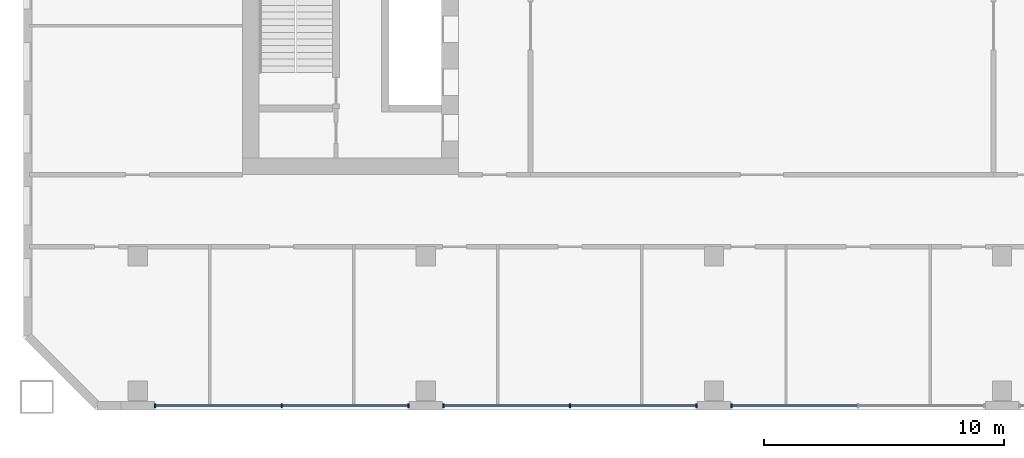
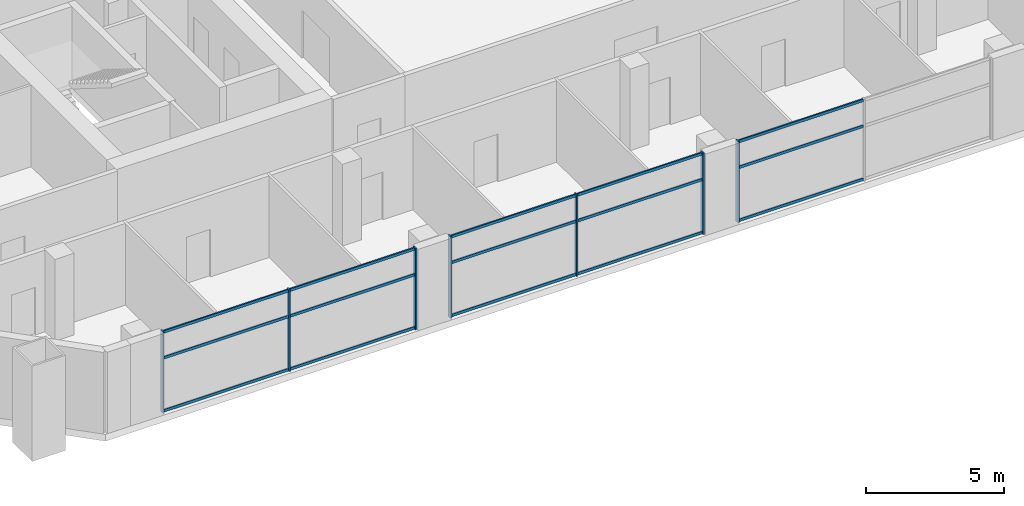
# One storey, part 2 of 19: 22 members, 3 elements without a shape of their own.
"""IFC4 building model written with IfcOpenShell, lengths in metres."""

from ifc_helpers import new_model, si_unit, direction, frame, origin, origin_2d, place, context, subcontext, project, spatial, rectangle, extrude, material, material_profile, profile_set, type_object, element, aggregate, save


model = new_model("IFC4")

# Units and contexts
model_context = context("Model", 3, precision=1e-05, world=origin(), true_north=direction((0.0, 1.0)))
body_context = subcontext(model_context, "Body", "Model", "MODEL_VIEW")
ifc_project = project(units=[si_unit("LENGTHUNIT", "METRE"), si_unit("AREAUNIT", "SQUARE_METRE"), si_unit("VOLUMEUNIT", "CUBIC_METRE"), si_unit("PLANEANGLEUNIT", "RADIAN"), si_unit("MASSUNIT", "GRAM", prefix="KILO")], contexts=[model_context])

# Site, building, storey
site_placement = place(None, origin())
site = spatial("IfcSite", under=ifc_project, at=site_placement, CompositionType="ELEMENT")
building_placement = place(site_placement, origin())
building = spatial("IfcBuilding", under=site, at=building_placement, Name="Tuart Gate Housing", CompositionType="ELEMENT")
storey_placement = place(building_placement, frame((0.0, 0.0, 67.39990234375)))
storey = spatial("IfcBuildingStorey", under=building, at=storey_placement, Name="L18", CompositionType="ELEMENT", Elevation=67.39990234375)

# Curtain wall, members
ifc_material_1 = material(Name="Aluminium and clear glass", Category="aluminium")
curtain_wall_type = type_object("IfcCurtainWallType", Name="Community floor glazing", PredefinedType="USERDEFINED", material=ifc_material_1)
curtain_wall_1_placement = place(storey_placement, origin())
curtain_wall_1 = element("IfcCurtainWall", 1, at=curtain_wall_1_placement, inside=storey, type_object=curtain_wall_type, Name="Community floor glazing A-S L18", ObjectType="COMMUNITY FLOOR GLAZING", PredefinedType="USERDEFINED")
ifc_material_2 = material(Name="Anodised aluminium", Category="aluminium")
ifc_material_profile_1 = material_profile(ifc_material_2, rectangle(XDim=0.06005859375, YDim=0.159912109375, at=origin_2d()), Name="60x160")
ifc_profile_set_1 = profile_set([ifc_material_profile_1], Name="Anodised aluminium")
member_type_1 = type_object("IfcMemberType", Name="Mullion 60 x 160", PredefinedType="MULLION", material=ifc_profile_set_1)
member_1_placement = place(storey_placement, frame((28.72998046875, 54.179931640625, 0.0), z_axis=(0.0, 0.0, 1.0), x_axis=(1.0, 0.0, 0.0)))
member_1 = element("IfcMember", 2, at=member_1_placement, type_object=member_type_1, Name="CW3 mullion 1", PredefinedType="MULLION", context=body_context, shape_type="SweptSolid", body=[
    extrude(rectangle(XDim=0.06005859375, YDim=0.159912109375, at=origin_2d()), origin(), (0.0, 0.0, 1.0), 3.60009765625),
])
member_2_placement = place(storey_placement, frame((34.0, 54.179931640625, 0.0), z_axis=(0.0, 0.0, 1.0), x_axis=(1.0, 0.0, 0.0)))
member_2 = element("IfcMember", 3, at=member_2_placement, type_object=member_type_1, Name="CW3 mullion 2", PredefinedType="MULLION", context=body_context, shape_type="SweptSolid", body=[
    extrude(rectangle(XDim=0.06005859375, YDim=0.159912109375, at=origin_2d()), origin(), (0.0, 0.0, 1.0), 3.60009765625),
])
member_3_placement = place(storey_placement, frame((39.27001953125, 54.179931640625, 0.0), z_axis=(0.0, 0.0, 1.0), x_axis=(1.0, 0.0, 0.0)))
member_3 = element("IfcMember", 4, at=member_3_placement, type_object=member_type_1, Name="CW3 mullion 3", PredefinedType="MULLION", context=body_context, shape_type="SweptSolid", body=[
    extrude(rectangle(XDim=0.06005859375, YDim=0.159912109375, at=origin_2d()), origin(), (0.0, 0.0, 1.0), 3.60009765625),
])

curtain_wall_2_placement = place(storey_placement, origin())
curtain_wall_2 = element("IfcCurtainWall", 5, at=curtain_wall_2_placement, inside=storey, type_object=curtain_wall_type, Name="Community floor glazing A-S L18", ObjectType="COMMUNITY FLOOR GLAZING", PredefinedType="USERDEFINED")
member_4_placement = place(storey_placement, frame((40.72998046875, 54.179931640625, 0.0), z_axis=(0.0, 0.0, 1.0), x_axis=(1.0, 0.0, 0.0)))
member_4 = element("IfcMember", 6, at=member_4_placement, type_object=member_type_1, Name="CW3 mullion 1", PredefinedType="MULLION", context=body_context, shape_type="SweptSolid", body=[
    extrude(rectangle(XDim=0.06005859375, YDim=0.159912109375, at=origin_2d()), origin(), (0.0, 0.0, 1.0), 3.60009765625),
])
member_5_placement = place(storey_placement, frame((46.0, 54.179931640625, 0.0), z_axis=(0.0, 0.0, 1.0), x_axis=(1.0, 0.0, 0.0)))
member_5 = element("IfcMember", 7, at=member_5_placement, type_object=member_type_1, Name="CW3 mullion 2", PredefinedType="MULLION", context=body_context, shape_type="SweptSolid", body=[
    extrude(rectangle(XDim=0.06005859375, YDim=0.159912109375, at=origin_2d()), origin(), (0.0, 0.0, 1.0), 3.60009765625),
])
member_6_placement = place(storey_placement, frame((51.27001953125, 54.179931640625, 0.0), z_axis=(0.0, 0.0, 1.0), x_axis=(1.0, 0.0, 0.0)))
member_6 = element("IfcMember", 8, at=member_6_placement, type_object=member_type_1, Name="CW3 mullion 3", PredefinedType="MULLION", context=body_context, shape_type="SweptSolid", body=[
    extrude(rectangle(XDim=0.06005859375, YDim=0.159912109375, at=origin_2d()), origin(), (0.0, 0.0, 1.0), 3.60009765625),
])

# Curtain wall, member
curtain_wall_3_placement = place(storey_placement, origin())
curtain_wall_3 = element("IfcCurtainWall", 9, at=curtain_wall_3_placement, inside=storey, type_object=curtain_wall_type, Name="Community floor glazing A-S L18", ObjectType="COMMUNITY FLOOR GLAZING", PredefinedType="USERDEFINED")
member_7_placement = place(storey_placement, frame((52.72998046875, 54.179931640625, 0.0), z_axis=(0.0, 0.0, 1.0), x_axis=(1.0, 0.0, 0.0)))
member_7 = element("IfcMember", 10, at=member_7_placement, type_object=member_type_1, Name="CW3 mullion 1", PredefinedType="MULLION", context=body_context, shape_type="SweptSolid", body=[
    extrude(rectangle(XDim=0.06005859375, YDim=0.159912109375, at=origin_2d()), origin(), (0.0, 0.0, 1.0), 3.60009765625),
])

# Member
ifc_material_3 = material(Name="Anodised aluminium", Category="aluminium")
ifc_material_profile_2 = material_profile(ifc_material_3, rectangle(XDim=0.06005859375, YDim=0.1201171875, at=origin_2d()), Name="60x120")
ifc_profile_set_2 = profile_set([ifc_material_profile_2], Name="Anodised aluminium")
member_type_2 = type_object("IfcMemberType", Name="Transom 60 x 120", PredefinedType="USERDEFINED", material=ifc_profile_set_2)
member_8_placement = place(storey_placement, frame((28.760009765625, 54.179931640625, 0.06005859375), z_axis=(1.0, 0.0, 0.0), x_axis=(0.0, 1.0, 0.0)))
member_8 = element("IfcMember", 11, at=member_8_placement, type_object=member_type_2, Name="CW3 transom 1.1", ObjectType="TRANSOM", PredefinedType="USERDEFINED", context=body_context, shape_type="SweptSolid", body=[
    extrude(rectangle(XDim=0.06005859375, YDim=0.1201171875, at=origin_2d()), origin(), (0.0, 0.0, 1.0), 5.2099609375),
])

member_9_placement = place(storey_placement, frame((28.760009765625, 54.179931640625, 2.400146484375), z_axis=(1.0, 0.0, 0.0), x_axis=(0.0, 1.0, 0.0)))
member_9 = element("IfcMember", 12, at=member_9_placement, type_object=member_type_2, Name="CW3 transom 1.2", ObjectType="TRANSOM", PredefinedType="USERDEFINED", context=body_context, shape_type="SweptSolid", body=[
    extrude(rectangle(XDim=0.06005859375, YDim=0.1201171875, at=origin_2d()), origin(), (0.0, 0.0, 1.0), 5.2099609375),
])

member_10_placement = place(storey_placement, frame((28.760009765625, 54.179931640625, 3.5400390625), z_axis=(1.0, 0.0, 0.0), x_axis=(0.0, 1.0, 0.0)))
member_10 = element("IfcMember", 13, at=member_10_placement, type_object=member_type_2, Name="CW3 transom 1.3", ObjectType="TRANSOM", PredefinedType="USERDEFINED", context=body_context, shape_type="SweptSolid", body=[
    extrude(rectangle(XDim=0.06005859375, YDim=0.1201171875, at=origin_2d()), origin(), (0.0, 0.0, 1.0), 5.2099609375),
])

member_11_placement = place(storey_placement, frame((34.030029296875, 54.179931640625, 0.06005859375), z_axis=(1.0, 0.0, 0.0), x_axis=(0.0, 1.0, 0.0)))
member_11 = element("IfcMember", 14, at=member_11_placement, type_object=member_type_2, Name="CW3 transom 2.1", ObjectType="TRANSOM", PredefinedType="USERDEFINED", context=body_context, shape_type="SweptSolid", body=[
    extrude(rectangle(XDim=0.06005859375, YDim=0.1201171875, at=origin_2d()), origin(), (0.0, 0.0, 1.0), 5.2099609375),
])

member_12_placement = place(storey_placement, frame((34.030029296875, 54.179931640625, 2.400146484375), z_axis=(1.0, 0.0, 0.0), x_axis=(0.0, 1.0, 0.0)))
member_12 = element("IfcMember", 15, at=member_12_placement, type_object=member_type_2, Name="CW3 transom 2.2", ObjectType="TRANSOM", PredefinedType="USERDEFINED", context=body_context, shape_type="SweptSolid", body=[
    extrude(rectangle(XDim=0.06005859375, YDim=0.1201171875, at=origin_2d()), origin(), (0.0, 0.0, 1.0), 5.2099609375),
])

member_13_placement = place(storey_placement, frame((34.030029296875, 54.179931640625, 3.5400390625), z_axis=(1.0, 0.0, 0.0), x_axis=(0.0, 1.0, 0.0)))
member_13 = element("IfcMember", 16, at=member_13_placement, type_object=member_type_2, Name="CW3 transom 2.3", ObjectType="TRANSOM", PredefinedType="USERDEFINED", context=body_context, shape_type="SweptSolid", body=[
    extrude(rectangle(XDim=0.06005859375, YDim=0.1201171875, at=origin_2d()), origin(), (0.0, 0.0, 1.0), 5.2099609375),
])

aggregate(curtain_wall_1, [member_1, member_2, member_3, member_8, member_9, member_10, member_11, member_12, member_13])

member_14_placement = place(storey_placement, frame((40.760009765625, 54.179931640625, 0.06005859375), z_axis=(1.0, 0.0, 0.0), x_axis=(0.0, 1.0, 0.0)))
member_14 = element("IfcMember", 17, at=member_14_placement, type_object=member_type_2, Name="CW3 transom 1.1", ObjectType="TRANSOM", PredefinedType="USERDEFINED", context=body_context, shape_type="SweptSolid", body=[
    extrude(rectangle(XDim=0.06005859375, YDim=0.1201171875, at=origin_2d()), origin(), (0.0, 0.0, 1.0), 5.2099609375),
])

member_15_placement = place(storey_placement, frame((40.760009765625, 54.179931640625, 2.400146484375), z_axis=(1.0, 0.0, 0.0), x_axis=(0.0, 1.0, 0.0)))
member_15 = element("IfcMember", 18, at=member_15_placement, type_object=member_type_2, Name="CW3 transom 1.2", ObjectType="TRANSOM", PredefinedType="USERDEFINED", context=body_context, shape_type="SweptSolid", body=[
    extrude(rectangle(XDim=0.06005859375, YDim=0.1201171875, at=origin_2d()), origin(), (0.0, 0.0, 1.0), 5.2099609375),
])

member_16_placement = place(storey_placement, frame((40.760009765625, 54.179931640625, 3.5400390625), z_axis=(1.0, 0.0, 0.0), x_axis=(0.0, 1.0, 0.0)))
member_16 = element("IfcMember", 19, at=member_16_placement, type_object=member_type_2, Name="CW3 transom 1.3", ObjectType="TRANSOM", PredefinedType="USERDEFINED", context=body_context, shape_type="SweptSolid", body=[
    extrude(rectangle(XDim=0.06005859375, YDim=0.1201171875, at=origin_2d()), origin(), (0.0, 0.0, 1.0), 5.2099609375),
])

member_17_placement = place(storey_placement, frame((46.030029296875, 54.179931640625, 0.06005859375), z_axis=(1.0, 0.0, 0.0), x_axis=(0.0, 1.0, 0.0)))
member_17 = element("IfcMember", 20, at=member_17_placement, type_object=member_type_2, Name="CW3 transom 2.1", ObjectType="TRANSOM", PredefinedType="USERDEFINED", context=body_context, shape_type="SweptSolid", body=[
    extrude(rectangle(XDim=0.06005859375, YDim=0.1201171875, at=origin_2d()), origin(), (0.0, 0.0, 1.0), 5.2099609375),
])

member_18_placement = place(storey_placement, frame((46.030029296875, 54.179931640625, 2.400146484375), z_axis=(1.0, 0.0, 0.0), x_axis=(0.0, 1.0, 0.0)))
member_18 = element("IfcMember", 21, at=member_18_placement, type_object=member_type_2, Name="CW3 transom 2.2", ObjectType="TRANSOM", PredefinedType="USERDEFINED", context=body_context, shape_type="SweptSolid", body=[
    extrude(rectangle(XDim=0.06005859375, YDim=0.1201171875, at=origin_2d()), origin(), (0.0, 0.0, 1.0), 5.2099609375),
])

member_19_placement = place(storey_placement, frame((46.030029296875, 54.179931640625, 3.5400390625), z_axis=(1.0, 0.0, 0.0), x_axis=(0.0, 1.0, 0.0)))
member_19 = element("IfcMember", 22, at=member_19_placement, type_object=member_type_2, Name="CW3 transom 2.3", ObjectType="TRANSOM", PredefinedType="USERDEFINED", context=body_context, shape_type="SweptSolid", body=[
    extrude(rectangle(XDim=0.06005859375, YDim=0.1201171875, at=origin_2d()), origin(), (0.0, 0.0, 1.0), 5.2099609375),
])

aggregate(curtain_wall_2, [member_4, member_5, member_6, member_14, member_15, member_16, member_17, member_18, member_19])

member_20_placement = place(storey_placement, frame((52.760009765625, 54.179931640625, 0.06005859375), z_axis=(1.0, 0.0, 0.0), x_axis=(0.0, 1.0, 0.0)))
member_20 = element("IfcMember", 23, at=member_20_placement, type_object=member_type_2, Name="CW3 transom 1.1", ObjectType="TRANSOM", PredefinedType="USERDEFINED", context=body_context, shape_type="SweptSolid", body=[
    extrude(rectangle(XDim=0.06005859375, YDim=0.1201171875, at=origin_2d()), origin(), (0.0, 0.0, 1.0), 5.2099609375),
])

member_21_placement = place(storey_placement, frame((52.760009765625, 54.179931640625, 2.400146484375), z_axis=(1.0, 0.0, 0.0), x_axis=(0.0, 1.0, 0.0)))
member_21 = element("IfcMember", 24, at=member_21_placement, type_object=member_type_2, Name="CW3 transom 1.2", ObjectType="TRANSOM", PredefinedType="USERDEFINED", context=body_context, shape_type="SweptSolid", body=[
    extrude(rectangle(XDim=0.06005859375, YDim=0.1201171875, at=origin_2d()), origin(), (0.0, 0.0, 1.0), 5.2099609375),
])

member_22_placement = place(storey_placement, frame((52.760009765625, 54.179931640625, 3.5400390625), z_axis=(1.0, 0.0, 0.0), x_axis=(0.0, 1.0, 0.0)))
member_22 = element("IfcMember", 25, at=member_22_placement, type_object=member_type_2, Name="CW3 transom 1.3", ObjectType="TRANSOM", PredefinedType="USERDEFINED", context=body_context, shape_type="SweptSolid", body=[
    extrude(rectangle(XDim=0.06005859375, YDim=0.1201171875, at=origin_2d()), origin(), (0.0, 0.0, 1.0), 5.2099609375),
])

aggregate(curtain_wall_3, [member_7, member_20, member_21, member_22])

save(model, "model.ifc")
